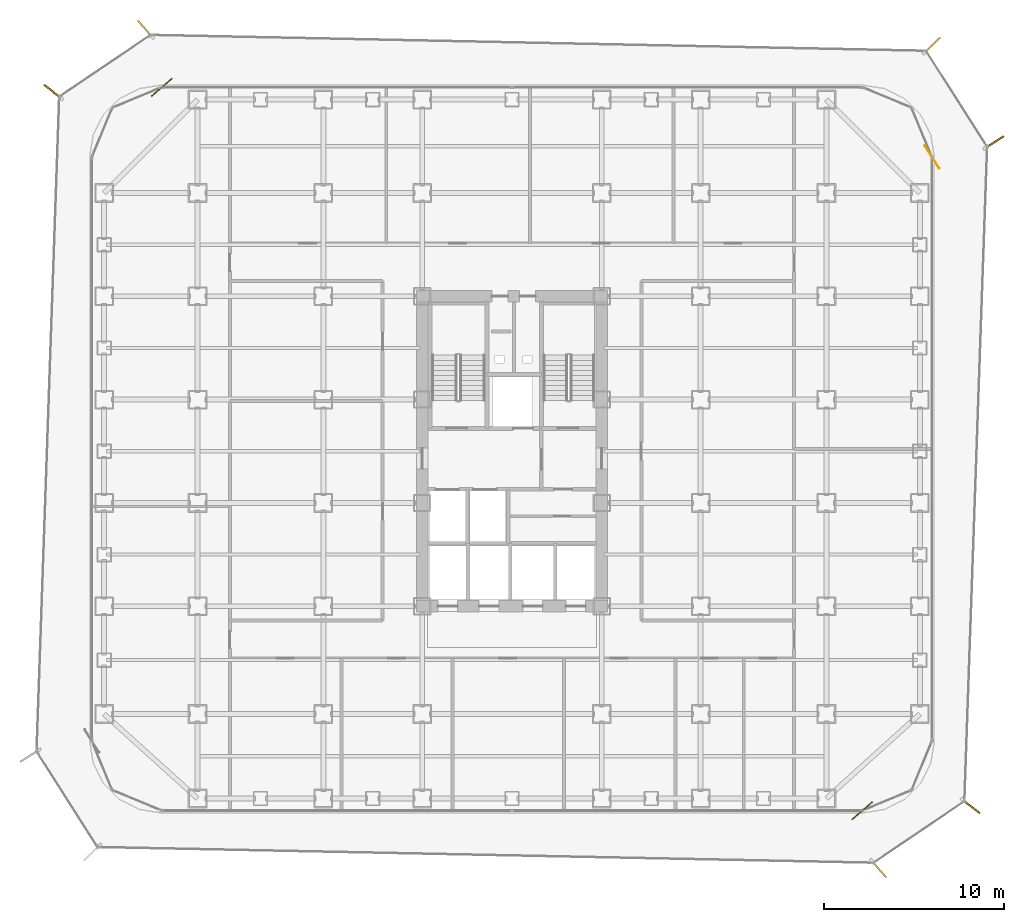
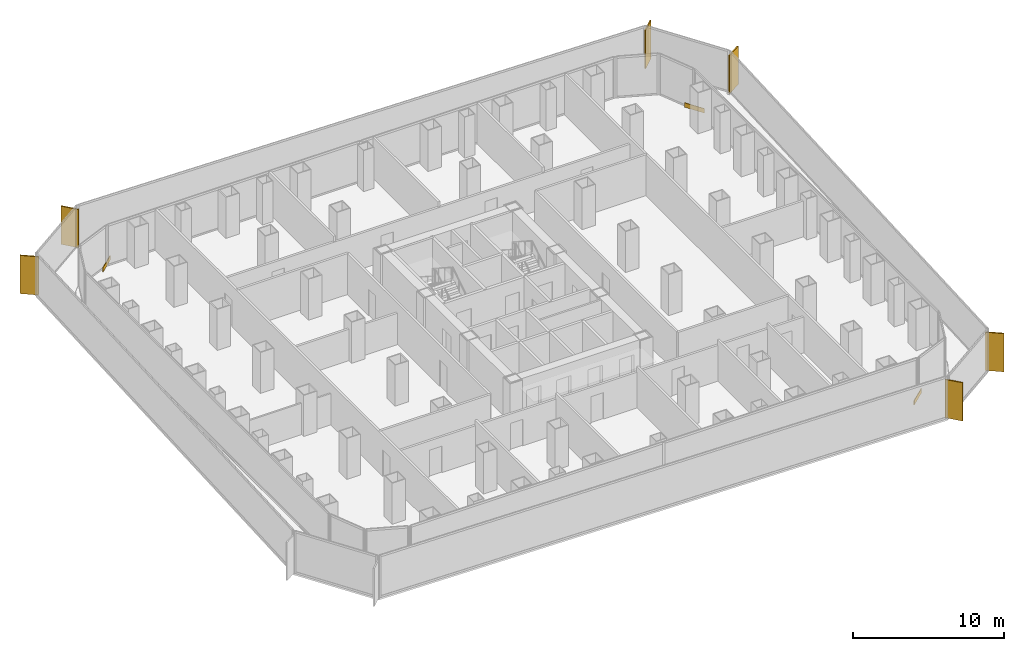
# One storey, part 22 of 22: 6 shading devices, 3 coverings.
"""IFC4 building model written with IfcOpenShell, lengths in metres."""

from ifc_helpers import new_model, si_unit, direction, frame, origin, origin_2d, place, context, subcontext, project, spatial, rectangle, extrude, source, transform, mapped, material, layer, layer_set, type_object, element, save


model = new_model("IFC4")

# Units and contexts
model_context = context("Model", 3, precision=1e-05, world=origin(), true_north=direction((0.0, 1.0)))
body_context = subcontext(model_context, "Body", "Model", "MODEL_VIEW")
ifc_project = project(units=[si_unit("LENGTHUNIT", "METRE"), si_unit("AREAUNIT", "SQUARE_METRE"), si_unit("VOLUMEUNIT", "CUBIC_METRE"), si_unit("PLANEANGLEUNIT", "RADIAN"), si_unit("MASSUNIT", "GRAM", prefix="KILO")], contexts=[model_context])

# Site, building, storey
site_placement = place(None, origin())
site = spatial("IfcSite", under=ifc_project, at=site_placement, CompositionType="ELEMENT")
building_placement = place(site_placement, origin())
building = spatial("IfcBuilding", under=site, at=building_placement, Name="Kolveth Station Tower", CompositionType="ELEMENT")
storey_placement = place(building_placement, frame((0.0, 0.0, 65.699951171875)))
storey = spatial("IfcBuildingStorey", under=building, at=storey_placement, Name="L17", CompositionType="ELEMENT", Elevation=65.699951171875)

# Shading devices
ifc_material_1 = material(Name="Black anodized aluminium 6063-T6", Category="aluminium")
shading_device_type = type_object("IfcShadingDeviceType", Name="FIN_VF1", PredefinedType="USERDEFINED", material=ifc_material_1)
shared_shape_1 = source(origin(), body_context, "Body", "SweptSolid", [
    extrude(rectangle(XDim=1.25, YDim=0.090087890625, at=origin_2d()), origin(), (0.0, 0.0, 1.0), 3.10009765625),
])
for number, where, z_axis, x_axis, name in (
    (1, (43.9140625, -3.123046875, 0.0), (0.0, 0.0, 1.0), (0.657769720534, -0.753219088147, 0.0), "L17 Dark-Aluminium Solar Fin 1"),
    (2, (49.0419921875, 0.368896484375, 0.0), (0.0, 0.0, 1.0), (0.789084084835, -0.614285200099, 0.0), "L17 Dark-Aluminium Solar Fin 2"),
    (3, (50.3330078125, 37.322021484375, 0.0), (0.0, 0.0, 1.0), (0.843672659607, 0.536857935987, 0.0), "L17 Dark-Aluminium Solar Fin 3"),
    (4, (46.87890625, 42.718017578125, 0.0), (0.0, 0.0, 1.0), (0.721035021845, 0.692898619766, 0.0), "L17 Dark-Aluminium Solar Fin 4"),
    (5, (3.0849609375, 43.62890625, 0.0), (0.0, 0.0, 1.0), (-0.657769720534, 0.753219088147, 0.0), "L17 Dark-Aluminium Solar Fin 5"),
    (6, (-2.047119140625, 40.134033203125, 0.0), (0.0, 0.0, 1.0), (-0.789191285809, 0.61414746959, 0.0), "L17 Dark-Aluminium Solar Fin 6"),
):
    element("IfcShadingDevice", number, at=place(storey_placement, frame(where, z_axis=z_axis, x_axis=x_axis)), inside=storey, type_object=shading_device_type, Name=name, ObjectType="FIN", PredefinedType="USERDEFINED", context=body_context, shape_type="MappedRepresentation", body=[
        mapped(shared_shape_1, transform((0.0, 0.0, 0.0), x_axis=(1.0, 0.0, 0.0), y_axis=(0.0, 1.0, 0.0), z_axis=(0.0, 0.0, 1.0), scale=1.0)),
    ])

# Coverings
ifc_material_2 = material(Name="Charcoal anodized aluminium spandrel cladding", Category="aluminium")
ifc_layer = layer(ifc_material_2, 0.044921875)
ifc_layer_set = layer_set([ifc_layer], Name="Charcoal anodized aluminium spandrel cladding")
covering_type = type_object("IfcCoveringType", Name="Clad_CD1", PredefinedType="CLADDING", material=ifc_layer_set)
shared_shape_2 = source(origin(), body_context, "Body", "SweptSolid", [
    extrude(rectangle(XDim=1.5, YDim=0.044921875, at=origin_2d()), origin(), (0.0, 0.0, 1.0), 0.360107421875),
])
for number, where, z_axis, x_axis, name in (
    (7, (43.0, 0.1201171875, 0.0), (0.0, 0.0, 1.0), (0.753219088147, 0.657769720534, 0.0), "L17 Spandrel Edge Cladding 1"),
    (8, (46.8798828125, 36.5, 0.0), (0.0, 0.0, 1.0), (-0.536857935987, 0.843672659607, 0.0), "L17 Spandrel Edge Cladding 3"),
    (9, (4.0, 40.3798828125, 0.0), (0.0, 0.0, 1.0), (-0.753219088147, -0.657769720534, 0.0), "L17 Spandrel Edge Cladding 5"),
):
    element("IfcCovering", number, at=place(storey_placement, frame(where, z_axis=z_axis, x_axis=x_axis)), inside=storey, type_object=covering_type, Name=name, PredefinedType="CLADDING", context=body_context, shape_type="MappedRepresentation", body=[
        mapped(shared_shape_2, transform((0.0, 0.0, 0.0), x_axis=(1.0, 0.0, 0.0), y_axis=(0.0, 1.0, 0.0), z_axis=(0.0, 0.0, 1.0), scale=1.0)),
    ])

save(model, "model.ifc")
